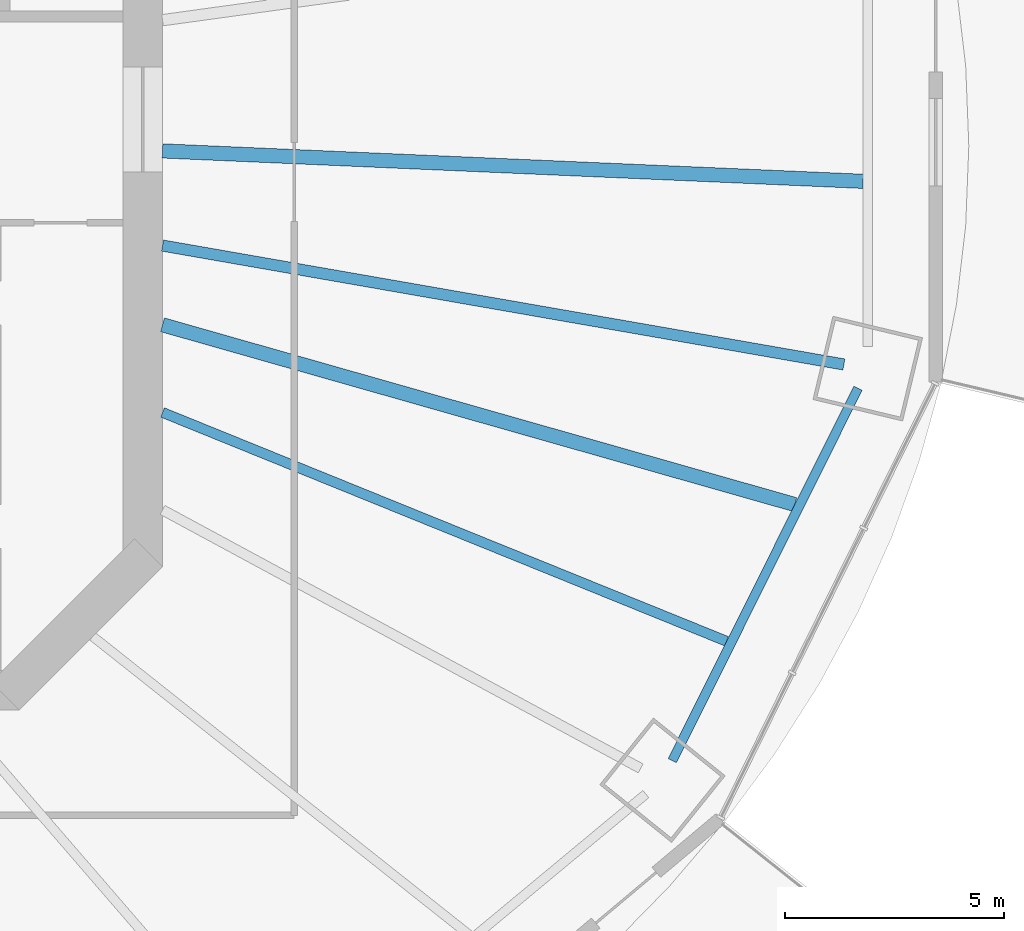
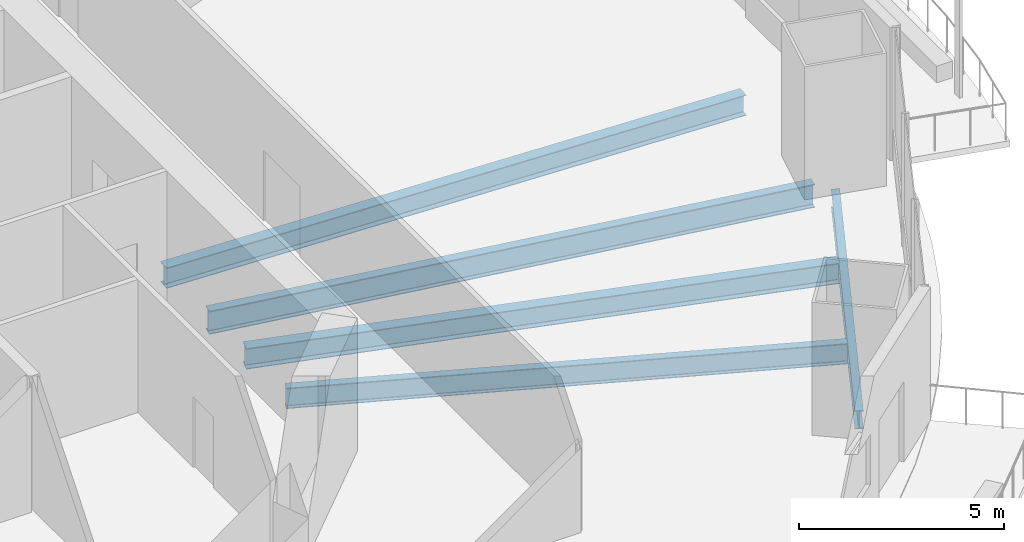
# One storey, part 5 of 21: 5 beams.
"""IFC4 building model written with IfcOpenShell, lengths in metres."""

from ifc_helpers import new_model, si_unit, direction, frame, origin, origin_2d, place, context, subcontext, project, spatial, i_section, extrude, material, material_profile, profile_set, type_object, element, save


model = new_model("IFC4")

# Units and contexts
model_context = context("Model", 3, precision=1e-05, world=origin(), true_north=direction((0.0, 1.0)))
body_context = subcontext(model_context, "Body", "Model", "MODEL_VIEW")
ifc_project = project(units=[si_unit("LENGTHUNIT", "METRE"), si_unit("AREAUNIT", "SQUARE_METRE"), si_unit("VOLUMEUNIT", "CUBIC_METRE"), si_unit("PLANEANGLEUNIT", "RADIAN"), si_unit("MASSUNIT", "GRAM", prefix="KILO")], contexts=[model_context])

# Site, building, storey
site_placement = place(None, origin())
site = spatial("IfcSite", under=ifc_project, at=site_placement, CompositionType="ELEMENT")
building_placement = place(site_placement, origin())
building = spatial("IfcBuilding", under=site, at=building_placement, Name="Marenthal Gate Tower", CompositionType="ELEMENT")
storey_placement = place(building_placement, frame((0.0, 0.0, 165.199951171875)))
storey = spatial("IfcBuildingStorey", under=building, at=storey_placement, Name="L35", CompositionType="ELEMENT", Elevation=165.199951171875)

# Beams
ifc_material_1 = material(Name="Steel S355", Category="steel")
ifc_material_profile_1 = material_profile(ifc_material_1, i_section(OverallWidth=0.2119140625, OverallDepth=0.5439453125, WebThickness=0.01318359375, FlangeThickness=0.021240234375, FilletRadius=0.0126953125, at=origin_2d()), Name="W530X123")
ifc_profile_set_1 = profile_set([ifc_material_profile_1], Name="Steel S355")
beam_type_1 = type_object("IfcBeamType", Name="W530X123 beam", PredefinedType="BEAM", material=ifc_profile_set_1)
beam_1_placement = place(storey_placement, frame((28.06298828125, -14.60595703125, -0.451904296875), z_axis=(0.446296506962, 0.894885147868, 0.0), x_axis=(-0.894885147868, 0.446296506962, 0.0)))
element("IfcBeam", 1, at=beam_1_placement, inside=storey, type_object=beam_type_1, Name="BM-L35-55", PredefinedType="BEAM", context=body_context, shape_type="SweptSolid", body=[
    extrude(i_section(OverallWidth=0.2119140625, OverallDepth=0.5439453125, WebThickness=0.01318359375, FlangeThickness=0.021240234375, FilletRadius=0.0126953125, at=origin_2d()), origin(), (0.0, 0.0, 1.0), 9.4794921875),
])
ifc_material_2 = material(Name="Steel S355", Category="steel")
ifc_material_profile_2 = material_profile(ifc_material_2, i_section(OverallWidth=0.22900390625, OverallDepth=0.612060546875, WebThickness=0.011962890625, FlangeThickness=0.01953125, FilletRadius=0.0126953125, at=origin_2d()), Name="W610X125")
ifc_profile_set_2 = profile_set([ifc_material_profile_2], Name="Steel S355")
beam_type_2 = type_object("IfcBeamType", Name="W610X125 beam", PredefinedType="BEAM", material=ifc_profile_set_2)
beam_2_placement = place(storey_placement, frame((29.301025390625, -11.885986328125, -0.48583984375), z_axis=(-0.926657906444, 0.37590573875, 0.0), x_axis=(-0.37590573875, -0.926657906444, 0.0)))
element("IfcBeam", 2, at=beam_2_placement, inside=storey, type_object=beam_type_2, Name="BM-L35-38", PredefinedType="BEAM", context=body_context, shape_type="SweptSolid", body=[
    extrude(i_section(OverallWidth=0.22900390625, OverallDepth=0.612060546875, WebThickness=0.011962890625, FlangeThickness=0.01953125, FilletRadius=0.0126953125, at=origin_2d()), origin(), (0.0, 0.0, 1.0), 13.8681640625),
])
ifc_material_3 = material(Name="Steel S355", Category="steel")
ifc_material_profile_3 = material_profile(ifc_material_3, i_section(OverallWidth=0.324951171875, OverallDepth=0.612060546875, WebThickness=0.0126953125, FlangeThickness=0.01904296875, FilletRadius=0.0126953125, at=origin_2d()), Name="W610X155")
ifc_profile_set_3 = profile_set([ifc_material_profile_3], Name="Steel S355")
beam_type_3 = type_object("IfcBeamType", Name="W610X155 beam", PredefinedType="BEAM", material=ifc_profile_set_3)
beam_3_placement = place(storey_placement, frame((30.854736328125, -8.770751953125, -0.48583984375), z_axis=(-0.961892197576, 0.273428967454, 0.0), x_axis=(-0.273428967454, -0.961892197576, 0.0)))
element("IfcBeam", 3, at=beam_3_placement, inside=storey, type_object=beam_type_3, Name="BM-L35-39", PredefinedType="BEAM", context=body_context, shape_type="SweptSolid", body=[
    extrude(i_section(OverallWidth=0.324951171875, OverallDepth=0.612060546875, WebThickness=0.0126953125, FlangeThickness=0.01904296875, FilletRadius=0.0126953125, at=origin_2d()), origin(), (0.0, 0.0, 1.0), 14.9755859375),
])
beam_4_placement = place(storey_placement, frame((32.4111328125, -1.4072265625, -0.48583984375), z_axis=(-0.999059125822, 0.043368918719, 0.0), x_axis=(-0.043368918719, -0.999059125822, 0.0)))
element("IfcBeam", 4, at=beam_4_placement, inside=storey, type_object=beam_type_3, Name="BM-L35-40", PredefinedType="BEAM", context=body_context, shape_type="SweptSolid", body=[
    extrude(i_section(OverallWidth=0.324951171875, OverallDepth=0.612060546875, WebThickness=0.0126953125, FlangeThickness=0.01904296875, FilletRadius=0.0126953125, at=origin_2d()), origin(), (0.0, 0.0, 1.0), 15.976318359375),
])
ifc_material_4 = material(Name="Steel S355", Category="steel")
ifc_material_profile_4 = material_profile(ifc_material_4, i_section(OverallWidth=0.257080078125, OverallDepth=0.693115234375, WebThickness=0.014404296875, FlangeThickness=0.023681640625, FilletRadius=0.015380859375, at=origin_2d()), Name="W690X170")
ifc_profile_set_4 = profile_set([ifc_material_profile_4], Name="Steel S355")
beam_type_4 = type_object("IfcBeamType", Name="W690X170 beam", PredefinedType="BEAM", material=ifc_profile_set_4)
beam_5_placement = place(storey_placement, frame((31.973388671875, -5.579833984375, -0.5263671875), z_axis=(-0.985112434091, 0.171911291656, 0.0), x_axis=(-0.171911291656, -0.985112434091, 0.0)))
element("IfcBeam", 5, at=beam_5_placement, inside=storey, type_object=beam_type_4, Name="BM-L35-16", PredefinedType="BEAM", context=body_context, shape_type="SweptSolid", body=[
    extrude(i_section(OverallWidth=0.257080078125, OverallDepth=0.693115234375, WebThickness=0.014404296875, FlangeThickness=0.023681640625, FilletRadius=0.015380859375, at=origin_2d()), origin(), (0.0, 0.0, 1.0), 15.758056640625),
])

save(model, "model.ifc")
